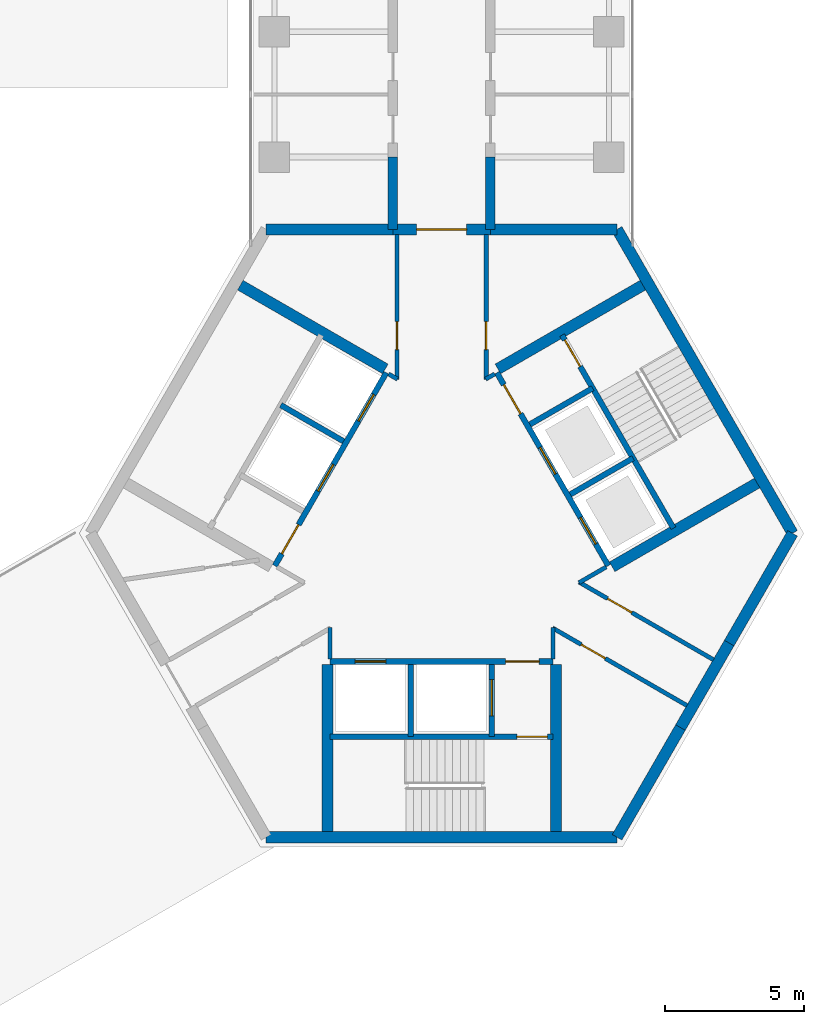
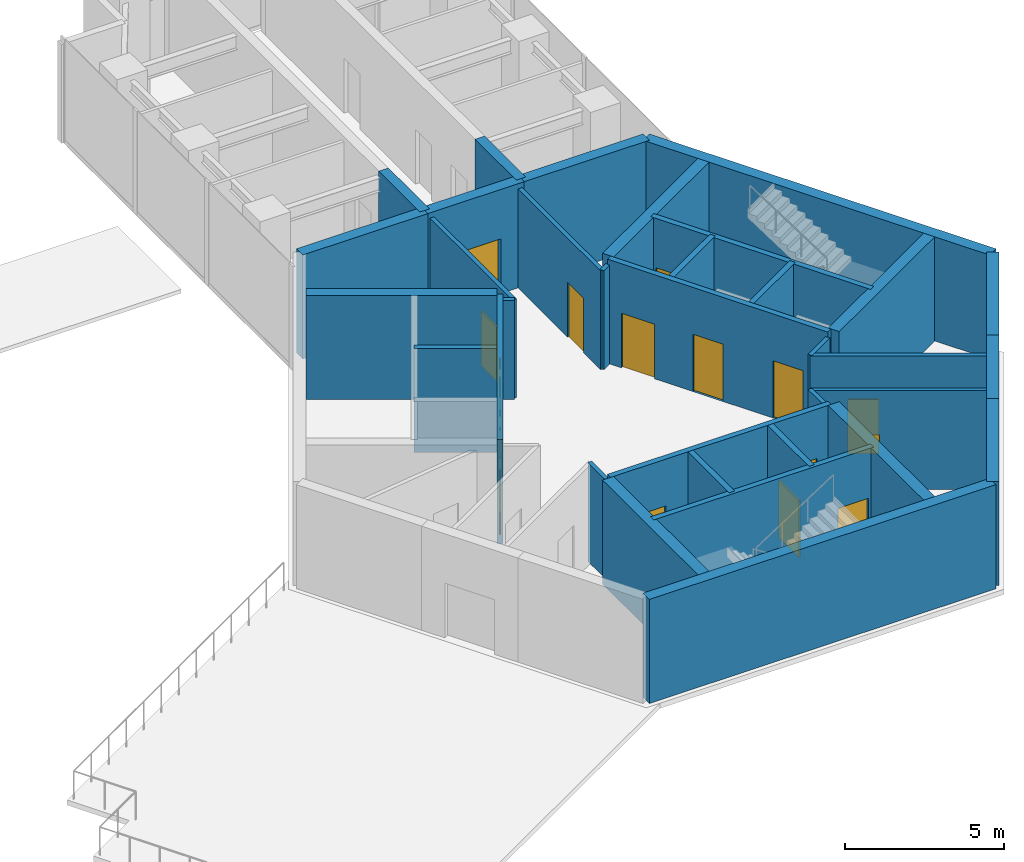
# One storey, part 8 of 11: 34 walls, 16 doors, 16 openings.
"""IFC4 building model written with IfcOpenShell, lengths in metres."""

from ifc_helpers import new_model, si_unit, direction, frame, frame_2d, origin, place, context, subcontext, project, spatial, rectangle, extrude, material, layer, layer_set, type_object, element, fill, save


model = new_model("IFC4")

# Units and contexts
model_context = context("Model", 3, precision=1e-05, world=origin(), true_north=direction((0.0, 1.0)))
body_context = subcontext(model_context, "Body", "Model", "MODEL_VIEW")
ifc_project = project(units=[si_unit("LENGTHUNIT", "METRE"), si_unit("AREAUNIT", "SQUARE_METRE"), si_unit("VOLUMEUNIT", "CUBIC_METRE"), si_unit("PLANEANGLEUNIT", "RADIAN"), si_unit("MASSUNIT", "GRAM", prefix="KILO")], contexts=[model_context])

# Site, building, storey
site_placement = place(None, origin())
site = spatial("IfcSite", under=ifc_project, at=site_placement, CompositionType="ELEMENT")
building_placement = place(site_placement, origin())
building = spatial("IfcBuilding", under=site, at=building_placement, Name="Upepo Twin Towers", CompositionType="ELEMENT")
storey_placement = place(building_placement, frame((0.0, 0.0, 243.5)))
storey = spatial("IfcBuildingStorey", under=building, at=storey_placement, Name="L59", CompositionType="ELEMENT", Elevation=243.5)

# Walls
ifc_material_1 = material(Name="Concrete C60/75", Category="concrete")
ifc_layer_1 = layer(ifc_material_1, 0.35009765625)
ifc_layer_set_1 = layer_set([ifc_layer_1], Name="Concrete C60/75")
wall_type_1 = type_object("IfcWallType", Name="Buttress wall 350 RC", PredefinedType="SHEAR", material=ifc_layer_set_1)
for number, where, z_axis, x_axis, name in (
    (1, (56.75, -7.091552734375, 0.0), (0.0, 0.0, 1.0), (0.0, 1.0, 0.0), "T2 wing A buttress wall L"),
    (2, (60.25, -7.091552734375, 0.0), (0.0, 0.0, 1.0), (0.0, 1.0, 0.0), "T2 wing A buttress wall R"),
):
    element("IfcWall", number, at=place(storey_placement, frame(where, z_axis=z_axis, x_axis=x_axis)), inside=storey, type_object=wall_type_1, Name=name, PredefinedType="SHEAR", context=body_context, shape_type="SweptSolid", body=[
        extrude(rectangle(XDim=2.591552734375, YDim=0.35009765625, at=frame_2d((1.2958984375, 0.0))), origin(), (0.0, 0.0, 1.0), 4.0),
    ])
ifc_material_2 = material(Name="Concrete C60/75", Category="concrete")
ifc_layer_2 = layer(ifc_material_2, 0.39990234375)
ifc_layer_set_2 = layer_set([ifc_layer_2], Name="Concrete C60/75")
wall_type_2 = type_object("IfcWallType", Name="Core wall 400 RC", PredefinedType="SHEAR", material=ifc_layer_set_2)
wall_1_placement = place(storey_placement, frame((64.7978515625, -7.091552734375, 0.0), z_axis=(0.0, 0.0, 1.0), x_axis=(-1.0, 0.0, 0.0)))
element("IfcWall", 3, at=wall_1_placement, inside=storey, type_object=wall_type_2, Name="T2 core wall 000 R", PredefinedType="SHEAR", context=body_context, shape_type="SweptSolid", body=[
    extrude(rectangle(XDim=4.5478515625, YDim=0.39990234375, at=frame_2d((2.27392578125, 0.0))), origin(), (0.0, 0.0, 1.0), 4.0),
])

# Wall, opening, door
wall_2_placement = place(storey_placement, frame((60.25, -7.091552734375, 0.0), z_axis=(0.0, 0.0, 1.0), x_axis=(-1.0, 0.0, 0.0)))
wall_2 = element("IfcWall", 4, at=wall_2_placement, inside=storey, type_object=wall_type_2, Name="T2 core wall 000", PredefinedType="SHEAR", context=body_context, shape_type="SweptSolid", body=[
    extrude(rectangle(XDim=3.5, YDim=0.39990234375, at=frame_2d((1.75, 0.0))), origin(), (0.0, 0.0, 1.0), 4.0),
])
opening_1_placement = place(wall_2_placement, frame((0.85009765625, 0.0, 0.0)))
opening_1 = element("IfcOpeningElement", 5, at=opening_1_placement, cuts=wall_2, Name="Opening D2", PredefinedType="OPENING", context=body_context, shape_type="SweptSolid", body=[
    extrude(rectangle(XDim=1.800048828125, YDim=2.10009765625, at=frame_2d((0.89990234375, 1.050048828125))), frame((0.0, 0.2099609375, 0.0), z_axis=(0.0, -1.0, 0.0), x_axis=(1.0, 0.0, 0.0)), (0.0, 0.0, 1.0), 0.419921875),
])
ifc_material_3 = material(Name="Timber doorset", Category="wood")
door_type_1 = type_object("IfcDoorType", Name="Corridor double door 1800 FD60", OperationType="DOUBLE_DOOR_DOUBLE_SWING", PredefinedType="DOOR", material=ifc_material_3)
door_1_placement = place(opening_1_placement, origin())
door_1 = element("IfcDoor", 6, at=door_1_placement, inside=storey, type_object=door_type_1, Name="T2 L59 wing A corridor door", OperationType="DOUBLE_DOOR_DOUBLE_SWING", OverallHeight=2.10009765625, OverallWidth=1.800048828125, PredefinedType="DOOR", context=body_context, shape_type="SweptSolid", body=[
    extrude(rectangle(XDim=1.800048828125, YDim=2.10009765625, at=frame_2d((0.89990234375, 1.050048828125))), frame((0.0, 0.02490234375, 0.0), z_axis=(0.0, -1.0, 0.0), x_axis=(1.0, 0.0, 0.0)), (0.0, 0.0, 1.0), 0.050048828125),
])
fill(opening_1, door_1)

# Walls
wall_3_placement = place(storey_placement, frame((56.75, -7.091552734375, 0.0), z_axis=(0.0, 0.0, 1.0), x_axis=(-1.0, 0.0, 0.0)))
element("IfcWall", 7, at=wall_3_placement, inside=storey, type_object=wall_type_2, Name="T2 core wall 000 L", PredefinedType="SHEAR", context=body_context, shape_type="SweptSolid", body=[
    extrude(rectangle(XDim=4.5478515625, YDim=0.39990234375, at=frame_2d((2.27392578125, 0.0))), origin(), (0.0, 0.0, 1.0), 4.0),
])
wall_4_placement = place(storey_placement, frame((52.2021484375, -28.908447265625, 0.0), z_axis=(0.0, 0.0, 1.0), x_axis=(1.0, 0.0, 0.0)))
element("IfcWall", 8, at=wall_4_placement, inside=storey, type_object=wall_type_2, Name="T2 core wall 180", PredefinedType="SHEAR", context=body_context, shape_type="SweptSolid", body=[
    extrude(rectangle(XDim=12.595703125, YDim=0.39990234375, at=frame_2d((6.2978515625, 0.0))), origin(), (0.0, 0.0, 1.0), 4.0),
])
wall_5_placement = place(storey_placement, frame((64.7978515625, -28.908447265625, 0.0), z_axis=(0.0, 0.0, 1.0), x_axis=(0.499984222037, 0.866034513004, 0.0)))
element("IfcWall", 9, at=wall_5_placement, inside=storey, type_object=wall_type_2, Name="T2 core wall 240 R", PredefinedType="SHEAR", context=body_context, shape_type="SweptSolid", body=[
    extrude(rectangle(XDim=4.548095703125, YDim=0.39990234375, at=frame_2d((2.27392578125, 0.0))), origin(), (0.0, 0.0, 1.0), 4.0),
])
wall_6_placement = place(storey_placement, frame((67.07177734375, -24.9697265625, 0.0), z_axis=(0.0, 0.0, 1.0), x_axis=(0.500010275428, 0.866019471182, 0.0)))
element("IfcWall", 10, at=wall_6_placement, inside=storey, type_object=wall_type_2, Name="T2 core wall 240", PredefinedType="SHEAR", context=body_context, shape_type="SweptSolid", body=[
    extrude(rectangle(XDim=3.5, YDim=0.39990234375, at=frame_2d((1.75, 0.0))), origin(), (0.0, 0.0, 1.0), 4.0),
])
wall_7_placement = place(storey_placement, frame((68.82177734375, -21.938720703125, 0.0), z_axis=(0.0, 0.0, 1.0), x_axis=(0.500024481964, 0.866011268655, 0.0)))
element("IfcWall", 11, at=wall_7_placement, inside=storey, type_object=wall_type_2, Name="T2 core wall 240 L", PredefinedType="SHEAR", context=body_context, shape_type="SweptSolid", body=[
    extrude(rectangle(XDim=4.548095703125, YDim=0.39990234375, at=frame_2d((2.27392578125, 0.0))), origin(), (0.0, 0.0, 1.0), 4.0),
])
wall_8_placement = place(storey_placement, frame((71.095947265625, -18.0, 0.0), z_axis=(0.0, 0.0, 1.0), x_axis=(-0.500005998175, 0.866021940709, 0.0)))
element("IfcWall", 12, at=wall_8_placement, inside=storey, type_object=wall_type_2, Name="T2 core wall 300", PredefinedType="SHEAR", context=body_context, shape_type="SweptSolid", body=[
    extrude(rectangle(XDim=12.595947265625, YDim=0.39990234375, at=frame_2d((6.2978515625, 0.0))), origin(), (0.0, 0.0, 1.0), 4.0),
])

# Wall, openings, doors
ifc_material_4 = material(Name="Concrete C40/50", Category="concrete")
ifc_layer_3 = layer(ifc_material_4, 0.199951171875)
ifc_layer_set_3 = layer_set([ifc_layer_3], Name="Concrete C40/50")
wall_type_3 = type_object("IfcWallType", Name="Shaft wall 200 RC", PredefinedType="SHEAR", material=ifc_layer_set_3)
wall_9_placement = place(storey_placement, frame((56.516357421875, -12.23583984375, 0.0), z_axis=(0.0, 0.0, 1.0), x_axis=(-0.49999894854, -0.866026010844, 0.0)))
wall_9 = element("IfcWall", 13, at=wall_9_placement, inside=storey, type_object=wall_type_3, Name="T2 core W60 front wall", PredefinedType="SHEAR", context=body_context, shape_type="SweptSolid", body=[
    extrude(rectangle(XDim=8.0, YDim=0.199951171875, at=frame_2d((4.0, 0.0))), origin(), (0.0, 0.0, 1.0), 4.0),
])
opening_2_placement = place(wall_9_placement, frame((6.300048828125, 0.0, 0.0)))
opening_2 = element("IfcOpeningElement", 14, at=opening_2_placement, cuts=wall_9, Name="Opening D4", PredefinedType="OPENING", context=body_context, shape_type="SweptSolid", body=[
    extrude(rectangle(XDim=1.199951171875, YDim=2.10009765625, at=frame_2d((0.60009765625, 1.050048828125))), frame((0.0, 0.10986328125, 0.0), z_axis=(0.0, -1.0, 0.0), x_axis=(1.0, 0.0, 0.0)), (0.0, 0.0, 1.0), 0.219970703125),
])
opening_3_placement = place(wall_9_placement, frame((0.89990234375, 0.0, 0.0)))
opening_3 = element("IfcOpeningElement", 15, at=opening_3_placement, cuts=wall_9, Name="Opening LD1", PredefinedType="OPENING", context=body_context, shape_type="SweptSolid", body=[
    extrude(rectangle(XDim=1.10009765625, YDim=2.199951171875, at=frame_2d((0.550048828125, 1.10009765625))), frame((0.0, 0.10986328125, 0.0), z_axis=(0.0, -1.0, 0.0), x_axis=(1.0, 0.0, 0.0)), (0.0, 0.0, 1.0), 0.219970703125),
])
opening_4_placement = place(wall_9_placement, frame((3.800048828125, 0.0, 0.0)))
opening_4 = element("IfcOpeningElement", 16, at=opening_4_placement, cuts=wall_9, Name="Opening LD1", PredefinedType="OPENING", context=body_context, shape_type="SweptSolid", body=[
    extrude(rectangle(XDim=1.10009765625, YDim=2.199951171875, at=frame_2d((0.550048828125, 1.10009765625))), frame((0.0, 0.10986328125, 0.0), z_axis=(0.0, -1.0, 0.0), x_axis=(1.0, 0.0, 0.0)), (0.0, 0.0, 1.0), 0.219970703125),
])
ifc_material_5 = material(Name="Steel doorset", Category="steel")
door_type_2 = type_object("IfcDoorType", Name="Lift landing door 1100", OperationType="DOUBLE_DOOR_SLIDING", PredefinedType="DOOR", material=ifc_material_5)
door_2_placement = place(opening_3_placement, origin())
door_2 = element("IfcDoor", 17, at=door_2_placement, inside=storey, type_object=door_type_2, Name="T2 L59 lift EX1 landing door", OperationType="DOUBLE_DOOR_SLIDING", OverallHeight=2.199951171875, OverallWidth=1.10009765625, PredefinedType="DOOR", context=body_context, shape_type="SweptSolid", body=[
    extrude(rectangle(XDim=1.10009765625, YDim=2.199951171875, at=frame_2d((0.550048828125, 1.10009765625))), frame((0.0, 0.02490234375, 0.0), z_axis=(0.0, -1.0, 0.0), x_axis=(1.0, 0.0, 0.0)), (0.0, 0.0, 1.0), 0.050048828125),
])
fill(opening_3, door_2)
door_3_placement = place(opening_4_placement, origin())
door_3 = element("IfcDoor", 18, at=door_3_placement, inside=storey, type_object=door_type_2, Name="T2 L59 lift EX2 landing door", OperationType="DOUBLE_DOOR_SLIDING", OverallHeight=2.199951171875, OverallWidth=1.10009765625, PredefinedType="DOOR", context=body_context, shape_type="SweptSolid", body=[
    extrude(rectangle(XDim=1.10009765625, YDim=2.199951171875, at=frame_2d((0.550048828125, 1.10009765625))), frame((0.0, 0.02490234375, 0.0), z_axis=(0.0, -1.0, 0.0), x_axis=(1.0, 0.0, 0.0)), (0.0, 0.0, 1.0), 0.050048828125),
])
fill(opening_4, door_3)
ifc_material_6 = material(Name="Timber doorset", Category="wood")
door_type_3 = type_object("IfcDoorType", Name="Lobby door 1200 FD60", OperationType="SINGLE_SWING_LEFT", PredefinedType="DOOR", material=ifc_material_6)
door_4_placement = place(opening_2_placement, origin())
door_4 = element("IfcDoor", 19, at=door_4_placement, inside=storey, type_object=door_type_3, Name="T2 L59 W60 lobby door", OperationType="SINGLE_SWING_RIGHT", OverallHeight=2.10009765625, OverallWidth=1.199951171875, PredefinedType="DOOR", context=body_context, shape_type="SweptSolid", body=[
    extrude(rectangle(XDim=1.199951171875, YDim=2.10009765625, at=frame_2d((0.60009765625, 1.050048828125))), frame((0.0, 0.02490234375, 0.0), z_axis=(0.0, -1.0, 0.0), x_axis=(1.0, 0.0, 0.0)), (0.0, 0.0, 1.0), 0.050048828125),
])
fill(opening_2, door_4)

# Wall
wall_10_placement = place(storey_placement, frame((54.979736328125, -14.697265625, 0.0), z_axis=(0.0, 0.0, 1.0), x_axis=(-0.866062058628, 0.499936506574, 0.0)))
element("IfcWall", 20, at=wall_10_placement, inside=storey, type_object=wall_type_3, Name="T2 core W60 shaft divider", PredefinedType="SHEAR", context=body_context, shape_type="SweptSolid", body=[
    extrude(rectangle(XDim=2.599853515625, YDim=0.199951171875, at=frame_2d((1.2998046875, 0.0))), origin(), (0.0, 0.0, 1.0), 4.0),
])

# Wall, openings, doors
wall_11_placement = place(storey_placement, frame((54.5, -22.60009765625, 0.0), z_axis=(0.0, 0.0, 1.0), x_axis=(1.0, 0.0, 0.0)))
wall_11 = element("IfcWall", 21, at=wall_11_placement, inside=storey, type_object=wall_type_3, Name="T2 core W180 front wall", PredefinedType="SHEAR", context=body_context, shape_type="SweptSolid", body=[
    extrude(rectangle(XDim=8.0, YDim=0.199951171875, at=frame_2d((4.0, 0.0))), origin(), (0.0, 0.0, 1.0), 4.0),
])
opening_5_placement = place(wall_11_placement, frame((6.300048828125, 0.0, 0.0)))
opening_5 = element("IfcOpeningElement", 22, at=opening_5_placement, cuts=wall_11, Name="Opening D4", PredefinedType="OPENING", context=body_context, shape_type="SweptSolid", body=[
    extrude(rectangle(XDim=1.199951171875, YDim=2.10009765625, at=frame_2d((0.60009765625, 1.050048828125))), frame((0.0, 0.10986328125, 0.0), z_axis=(0.0, -1.0, 0.0), x_axis=(1.0, 0.0, 0.0)), (0.0, 0.0, 1.0), 0.219970703125),
])
opening_6_placement = place(wall_11_placement, frame((0.89990234375, 0.0, 0.0)))
opening_6 = element("IfcOpeningElement", 23, at=opening_6_placement, cuts=wall_11, Name="Opening LD1", PredefinedType="OPENING", context=body_context, shape_type="SweptSolid", body=[
    extrude(rectangle(XDim=1.10009765625, YDim=2.199951171875, at=frame_2d((0.550048828125, 1.10009765625))), frame((0.0, 0.10986328125, 0.0), z_axis=(0.0, -1.0, 0.0), x_axis=(1.0, 0.0, 0.0)), (0.0, 0.0, 1.0), 0.219970703125),
])
door_5_placement = place(opening_6_placement, origin())
door_5 = element("IfcDoor", 24, at=door_5_placement, inside=storey, type_object=door_type_2, Name="T2 L59 lift SV1 landing door", OperationType="DOUBLE_DOOR_SLIDING", OverallHeight=2.199951171875, OverallWidth=1.10009765625, PredefinedType="DOOR", context=body_context, shape_type="SweptSolid", body=[
    extrude(rectangle(XDim=1.10009765625, YDim=2.199951171875, at=frame_2d((0.550048828125, 1.10009765625))), frame((0.0, 0.02490234375, 0.0), z_axis=(0.0, -1.0, 0.0), x_axis=(1.0, 0.0, 0.0)), (0.0, 0.0, 1.0), 0.050048828125),
])
fill(opening_6, door_5)
door_6_placement = place(opening_5_placement, origin())
door_6 = element("IfcDoor", 25, at=door_6_placement, inside=storey, type_object=door_type_3, Name="T2 L59 W180 lobby door", OperationType="SINGLE_SWING_RIGHT", OverallHeight=2.10009765625, OverallWidth=1.199951171875, PredefinedType="DOOR", context=body_context, shape_type="SweptSolid", body=[
    extrude(rectangle(XDim=1.199951171875, YDim=2.10009765625, at=frame_2d((0.60009765625, 1.050048828125))), frame((0.0, 0.02490234375, 0.0), z_axis=(0.0, -1.0, 0.0), x_axis=(1.0, 0.0, 0.0)), (0.0, 0.0, 1.0), 0.050048828125),
])
fill(opening_5, door_6)

# Wall
wall_12_placement = place(storey_placement, frame((57.39990234375, -22.699951171875, 0.0), z_axis=(0.0, 0.0, 1.0), x_axis=(0.0, -1.0, 0.0)))
element("IfcWall", 26, at=wall_12_placement, inside=storey, type_object=wall_type_3, Name="T2 core W180 shaft divider", PredefinedType="SHEAR", context=body_context, shape_type="SweptSolid", body=[
    extrude(rectangle(XDim=2.60009765625, YDim=0.199951171875, at=frame_2d((1.300048828125, 0.0))), origin(), (0.0, 0.0, 1.0), 4.0),
])

# Wall, opening, door
wall_13_placement = place(storey_placement, frame((60.300048828125, -22.699951171875, 0.0), z_axis=(0.0, 0.0, 1.0), x_axis=(0.0, -1.0, 0.0)))
wall_13 = element("IfcWall", 27, at=wall_13_placement, inside=storey, type_object=wall_type_3, Name="T2 core W180 lobby wall", PredefinedType="SHEAR", context=body_context, shape_type="SweptSolid", body=[
    extrude(rectangle(XDim=2.60009765625, YDim=0.199951171875, at=frame_2d((1.300048828125, 0.0))), origin(), (0.0, 0.0, 1.0), 4.0),
])
opening_7_placement = place(wall_13_placement, frame((0.550048828125, 0.0, 0.0)))
opening_7 = element("IfcOpeningElement", 28, at=opening_7_placement, cuts=wall_13, Name="Opening LD2", PredefinedType="OPENING", context=body_context, shape_type="SweptSolid", body=[
    extrude(rectangle(XDim=1.300048828125, YDim=2.199951171875, at=frame_2d((0.64990234375, 1.10009765625))), frame((0.0, 0.10986328125, 0.0), z_axis=(0.0, -1.0, 0.0), x_axis=(1.0, 0.0, 0.0)), (0.0, 0.0, 1.0), 0.219970703125),
])
ifc_material_7 = material(Name="Steel doorset", Category="steel")
door_type_4 = type_object("IfcDoorType", Name="Firefighting lift landing door 1300", OperationType="DOUBLE_DOOR_SLIDING", PredefinedType="DOOR", material=ifc_material_7)
door_7_placement = place(opening_7_placement, origin())
door_7 = element("IfcDoor", 29, at=door_7_placement, inside=storey, type_object=door_type_4, Name="T2 L59 firefighting lift landing door", OperationType="DOUBLE_DOOR_SLIDING", OverallHeight=2.199951171875, OverallWidth=1.300048828125, PredefinedType="DOOR", context=body_context, shape_type="SweptSolid", body=[
    extrude(rectangle(XDim=1.300048828125, YDim=2.199951171875, at=frame_2d((0.64990234375, 1.10009765625))), frame((0.0, 0.02490234375, 0.0), z_axis=(0.0, -1.0, 0.0), x_axis=(1.0, 0.0, 0.0)), (0.0, 0.0, 1.0), 0.050048828125),
])
fill(opening_7, door_7)

wall_14_placement = place(storey_placement, frame((54.5, -25.300048828125, 0.0), z_axis=(0.0, 0.0, 1.0), x_axis=(1.0, 0.0, 0.0)))
wall_14 = element("IfcWall", 30, at=wall_14_placement, inside=storey, type_object=wall_type_3, Name="T2 core W180 stair wall", PredefinedType="SHEAR", context=body_context, shape_type="SweptSolid", body=[
    extrude(rectangle(XDim=8.0, YDim=0.199951171875, at=frame_2d((4.0, 0.0))), origin(), (0.0, 0.0, 1.0), 4.0),
])
opening_8_placement = place(wall_14_placement, frame((6.699951171875, 0.0, 0.0)))
opening_8 = element("IfcOpeningElement", 31, at=opening_8_placement, cuts=wall_14, Name="Opening D3", PredefinedType="OPENING", context=body_context, shape_type="SweptSolid", body=[
    extrude(rectangle(XDim=1.10009765625, YDim=2.10009765625, at=frame_2d((0.550048828125, 1.050048828125))), frame((0.0, 0.10986328125, 0.0), z_axis=(0.0, -1.0, 0.0), x_axis=(1.0, 0.0, 0.0)), (0.0, 0.0, 1.0), 0.219970703125),
])
ifc_material_8 = material(Name="Timber doorset", Category="wood")
door_type_5 = type_object("IfcDoorType", Name="Stair door 1100 FD60", OperationType="SINGLE_SWING_LEFT", PredefinedType="DOOR", material=ifc_material_8)
door_8_placement = place(opening_8_placement, origin())
door_8 = element("IfcDoor", 32, at=door_8_placement, inside=storey, type_object=door_type_5, Name="T2 L59 stair door", OperationType="SINGLE_SWING_RIGHT", OverallHeight=2.10009765625, OverallWidth=1.10009765625, PredefinedType="DOOR", context=body_context, shape_type="SweptSolid", body=[
    extrude(rectangle(XDim=1.10009765625, YDim=2.10009765625, at=frame_2d((0.550048828125, 1.050048828125))), frame((0.0, 0.02490234375, 0.0), z_axis=(0.0, -1.0, 0.0), x_axis=(1.0, 0.0, 0.0)), (0.0, 0.0, 1.0), 0.050048828125),
])
fill(opening_8, door_8)

# Wall, openings, doors
wall_15_placement = place(storey_placement, frame((64.483642578125, -19.1640625, 0.0), z_axis=(0.0, 0.0, 1.0), x_axis=(-0.49999894854, 0.866026010844, 0.0)))
wall_15 = element("IfcWall", 33, at=wall_15_placement, inside=storey, type_object=wall_type_3, Name="T2 core W300 front wall", PredefinedType="SHEAR", context=body_context, shape_type="SweptSolid", body=[
    extrude(rectangle(XDim=8.0, YDim=0.199951171875, at=frame_2d((4.0, 0.0))), origin(), (0.0, 0.0, 1.0), 4.0),
])
opening_9_placement = place(wall_15_placement, frame((6.300048828125, 0.0, 0.0)))
opening_9 = element("IfcOpeningElement", 34, at=opening_9_placement, cuts=wall_15, Name="Opening D4", PredefinedType="OPENING", context=body_context, shape_type="SweptSolid", body=[
    extrude(rectangle(XDim=1.199951171875, YDim=2.10009765625, at=frame_2d((0.60009765625, 1.050048828125))), frame((0.0, 0.10986328125, 0.0), z_axis=(0.0, -1.0, 0.0), x_axis=(1.0, 0.0, 0.0)), (0.0, 0.0, 1.0), 0.219970703125),
])
opening_10_placement = place(wall_15_placement, frame((0.89990234375, 0.0, 0.0)))
opening_10 = element("IfcOpeningElement", 35, at=opening_10_placement, cuts=wall_15, Name="Opening LD1", PredefinedType="OPENING", context=body_context, shape_type="SweptSolid", body=[
    extrude(rectangle(XDim=1.10009765625, YDim=2.199951171875, at=frame_2d((0.550048828125, 1.10009765625))), frame((0.0, 0.10986328125, 0.0), z_axis=(0.0, -1.0, 0.0), x_axis=(1.0, 0.0, 0.0)), (0.0, 0.0, 1.0), 0.219970703125),
])
opening_11_placement = place(wall_15_placement, frame((3.800048828125, 0.0, 0.0)))
opening_11 = element("IfcOpeningElement", 36, at=opening_11_placement, cuts=wall_15, Name="Opening LD1", PredefinedType="OPENING", context=body_context, shape_type="SweptSolid", body=[
    extrude(rectangle(XDim=1.10009765625, YDim=2.199951171875, at=frame_2d((0.550048828125, 1.10009765625))), frame((0.0, 0.10986328125, 0.0), z_axis=(0.0, -1.0, 0.0), x_axis=(1.0, 0.0, 0.0)), (0.0, 0.0, 1.0), 0.219970703125),
])
door_9_placement = place(opening_10_placement, origin())
door_9 = element("IfcDoor", 37, at=door_9_placement, inside=storey, type_object=door_type_2, Name="T2 L59 lift TL1 landing door", OperationType="DOUBLE_DOOR_SLIDING", OverallHeight=2.199951171875, OverallWidth=1.10009765625, PredefinedType="DOOR", context=body_context, shape_type="SweptSolid", body=[
    extrude(rectangle(XDim=1.10009765625, YDim=2.199951171875, at=frame_2d((0.550048828125, 1.10009765625))), frame((0.0, 0.02490234375, 0.0), z_axis=(0.0, -1.0, 0.0), x_axis=(1.0, 0.0, 0.0)), (0.0, 0.0, 1.0), 0.050048828125),
])
fill(opening_10, door_9)
door_10_placement = place(opening_11_placement, origin())
door_10 = element("IfcDoor", 38, at=door_10_placement, inside=storey, type_object=door_type_2, Name="T2 L59 lift TL2 landing door", OperationType="DOUBLE_DOOR_SLIDING", OverallHeight=2.199951171875, OverallWidth=1.10009765625, PredefinedType="DOOR", context=body_context, shape_type="SweptSolid", body=[
    extrude(rectangle(XDim=1.10009765625, YDim=2.199951171875, at=frame_2d((0.550048828125, 1.10009765625))), frame((0.0, 0.02490234375, 0.0), z_axis=(0.0, -1.0, 0.0), x_axis=(1.0, 0.0, 0.0)), (0.0, 0.0, 1.0), 0.050048828125),
])
fill(opening_11, door_10)
door_11_placement = place(opening_9_placement, origin())
door_11 = element("IfcDoor", 39, at=door_11_placement, inside=storey, type_object=door_type_3, Name="T2 L59 W300 lobby door", OperationType="SINGLE_SWING_RIGHT", OverallHeight=2.10009765625, OverallWidth=1.199951171875, PredefinedType="DOOR", context=body_context, shape_type="SweptSolid", body=[
    extrude(rectangle(XDim=1.199951171875, YDim=2.10009765625, at=frame_2d((0.60009765625, 1.050048828125))), frame((0.0, 0.02490234375, 0.0), z_axis=(0.0, -1.0, 0.0), x_axis=(1.0, 0.0, 0.0)), (0.0, 0.0, 1.0), 0.050048828125),
])
fill(opening_9, door_11)

# Walls
wall_16_placement = place(storey_placement, frame((63.120361328125, -16.6025390625, 0.0), z_axis=(0.0, 0.0, 1.0), x_axis=(0.866062058628, 0.499936506574, 0.0)))
element("IfcWall", 40, at=wall_16_placement, inside=storey, type_object=wall_type_3, Name="T2 core W300 shaft divider", PredefinedType="SHEAR", context=body_context, shape_type="SweptSolid", body=[
    extrude(rectangle(XDim=2.599853515625, YDim=0.199951171875, at=frame_2d((1.2998046875, 0.0))), origin(), (0.0, 0.0, 1.0), 4.0),
])
wall_17_placement = place(storey_placement, frame((61.67041015625, -14.091064453125, 0.0), z_axis=(0.0, 0.0, 1.0), x_axis=(0.86603858612, 0.49997716683, 0.0)))
element("IfcWall", 41, at=wall_17_placement, inside=storey, type_object=wall_type_3, Name="T2 core W300 lobby wall", PredefinedType="SHEAR", context=body_context, shape_type="SweptSolid", body=[
    extrude(rectangle(XDim=2.599609375, YDim=0.199951171875, at=frame_2d((1.2998046875, 0.0))), origin(), (0.0, 0.0, 1.0), 4.0),
])

# Wall, opening, door
wall_18_placement = place(storey_placement, frame((66.822021484375, -17.814208984375, 0.0), z_axis=(0.0, 0.0, 1.0), x_axis=(-0.49999894854, 0.866026010844, 0.0)))
wall_18 = element("IfcWall", 42, at=wall_18_placement, inside=storey, type_object=wall_type_3, Name="T2 core W300 stair wall", PredefinedType="SHEAR", context=body_context, shape_type="SweptSolid", body=[
    extrude(rectangle(XDim=8.0, YDim=0.199951171875, at=frame_2d((4.0, 0.0))), origin(), (0.0, 0.0, 1.0), 4.0),
])
opening_12_placement = place(wall_18_placement, frame((6.699951171875, 0.0, 0.0)))
opening_12 = element("IfcOpeningElement", 43, at=opening_12_placement, cuts=wall_18, Name="Opening D3", PredefinedType="OPENING", context=body_context, shape_type="SweptSolid", body=[
    extrude(rectangle(XDim=1.10009765625, YDim=2.10009765625, at=frame_2d((0.550048828125, 1.050048828125))), frame((0.0, 0.10986328125, 0.0), z_axis=(0.0, -1.0, 0.0), x_axis=(1.0, 0.0, 0.0)), (0.0, 0.0, 1.0), 0.219970703125),
])
door_12_placement = place(opening_12_placement, origin())
door_12 = element("IfcDoor", 44, at=door_12_placement, inside=storey, type_object=door_type_5, Name="T2 L59 stair door", OperationType="SINGLE_SWING_RIGHT", OverallHeight=2.10009765625, OverallWidth=1.10009765625, PredefinedType="DOOR", context=body_context, shape_type="SweptSolid", body=[
    extrude(rectangle(XDim=1.10009765625, YDim=2.10009765625, at=frame_2d((0.550048828125, 1.050048828125))), frame((0.0, 0.02490234375, 0.0), z_axis=(0.0, -1.0, 0.0), x_axis=(1.0, 0.0, 0.0)), (0.0, 0.0, 1.0), 0.050048828125),
])
fill(opening_12, door_12)

# Walls
ifc_material_9 = material(Name="Concrete C40/50", Category="concrete")
ifc_layer_4 = layer(ifc_material_9, 0.39990234375)
ifc_layer_set_4 = layer_set([ifc_layer_4], Name="Concrete C40/50")
wall_type_4 = type_object("IfcWallType", Name="Shaft wall 400 RC", PredefinedType="SHEAR", material=ifc_layer_set_4)
for number, where, z_axis, x_axis, name in (
    (45, (56.479736328125, -12.099365234375, 0.0), (0.0, 0.0, 1.0), (-0.866026570101, 0.499997979876, 0.0), "T2 core W60 side wall S"),
    (46, (62.60009765625, -22.699951171875, 0.0), (0.0, 0.0, 1.0), (0.0, -1.0, 0.0), "T2 core W180 side wall N"),
    (47, (54.39990234375, -22.699951171875, 0.0), (0.0, 0.0, 1.0), (0.0, -1.0, 0.0), "T2 core W180 side wall S"),
    (48, (60.520263671875, -12.099365234375, 0.0), (0.0, 0.0, 1.0), (0.866026570101, 0.499997979876, 0.0), "T2 core W300 side wall N"),
    (49, (64.620361328125, -19.20068359375, 0.0), (0.0, 0.0, 1.0), (0.866026570101, 0.499997979876, 0.0), "T2 core W300 side wall S"),
):
    element("IfcWall", number, at=place(storey_placement, frame(where, z_axis=z_axis, x_axis=x_axis)), inside=storey, type_object=wall_type_4, Name=name, PredefinedType="SHEAR", context=body_context, shape_type="SweptSolid", body=[
        extrude(rectangle(XDim=6.00830078125, YDim=0.39990234375, at=frame_2d((3.004150390625, 0.0))), origin(), (0.0, 0.0, 1.0), 4.0),
    ])
ifc_material_10 = material(Name="Gypsum board on steel studs", Category="steel")
ifc_layer_5 = layer(ifc_material_10, 0.14990234375)
ifc_layer_set_5 = layer_set([ifc_layer_5], Name="Teaching partition 150 acoustic")
wall_type_5 = type_object("IfcWallType", Name="Teaching partition 150 acoustic", PredefinedType="PARTITIONING", material=ifc_layer_set_5)
wall_19_placement = place(storey_placement, frame((54.5, -22.510009765625, 0.0), z_axis=(0.0, 0.0, 1.0), x_axis=(0.0, 1.0, 0.0)))
element("IfcWall", 50, at=wall_19_placement, inside=storey, type_object=wall_type_5, Name="T2 core room partition 1", PredefinedType="PARTITIONING", context=body_context, shape_type="SweptSolid", body=[
    extrude(rectangle(XDim=1.12353515625, YDim=0.14990234375, at=frame_2d((0.561767578125, 0.0))), origin(), (0.0, 0.0, 1.0), 3.800048828125),
])
wall_20_placement = place(storey_placement, frame((56.59423828125, -12.281005859375, 0.0), z_axis=(0.0, 0.0, 1.0), x_axis=(0.866261881104, -0.499590185398, 0.0)))
element("IfcWall", 51, at=wall_20_placement, inside=storey, type_object=wall_type_5, Name="T2 core room partition 5", PredefinedType="PARTITIONING", context=body_context, shape_type="SweptSolid", body=[
    extrude(rectangle(XDim=0.372802734375, YDim=0.14990234375, at=frame_2d((0.1865234375, 0.0))), origin(), (0.0, 0.0, 1.0), 3.800048828125),
])

# Wall, opening, door
wall_21_placement = place(storey_placement, frame((56.89990234375, -12.477294921875, 0.0), z_axis=(0.0, 0.0, 1.0), x_axis=(0.0, 1.0, 0.0)))
wall_21 = element("IfcWall", 52, at=wall_21_placement, inside=storey, type_object=wall_type_5, Name="T2 core room partition 6", PredefinedType="PARTITIONING", context=body_context, shape_type="SweptSolid", body=[
    extrude(rectangle(XDim=5.195556640625, YDim=0.14990234375, at=frame_2d((2.59765625, 0.0))), origin(), (0.0, 0.0, 1.0), 3.800048828125),
])
opening_13_placement = place(wall_21_placement, frame((1.07275390625, 0.0, 0.0)))
opening_13 = element("IfcOpeningElement", 53, at=opening_13_placement, cuts=wall_21, Name="Opening D1", PredefinedType="OPENING", context=body_context, shape_type="SweptSolid", body=[
    extrude(rectangle(XDim=1.0, YDim=2.10009765625, at=frame_2d((0.5, 1.050048828125))), frame((0.0, 0.0849609375, 0.0), z_axis=(0.0, -1.0, 0.0), x_axis=(1.0, 0.0, 0.0)), (0.0, 0.0, 1.0), 0.169921875),
])
ifc_material_11 = material(Name="Timber doorset", Category="wood")
door_type_6 = type_object("IfcDoorType", Name="Room door 1000 FD30", OperationType="SINGLE_SWING_LEFT", PredefinedType="DOOR", material=ifc_material_11)
door_13_placement = place(opening_13_placement, origin())
door_13 = element("IfcDoor", 54, at=door_13_placement, inside=storey, type_object=door_type_6, Name="T2 L59 core room door K7", OperationType="SINGLE_SWING_LEFT", OverallHeight=2.10009765625, OverallWidth=1.0, PredefinedType="DOOR", context=body_context, shape_type="SweptSolid", body=[
    extrude(rectangle(XDim=1.0, YDim=2.10009765625, at=frame_2d((0.5, 1.050048828125))), frame((0.0, 0.02490234375, 0.0), z_axis=(0.0, -1.0, 0.0), x_axis=(1.0, 0.0, 0.0)), (0.0, 0.0, 1.0), 0.050048828125),
])
fill(opening_13, door_13)

wall_22_placement = place(storey_placement, frame((60.10009765625, -7.28173828125, 0.0), z_axis=(0.0, 0.0, 1.0), x_axis=(0.0, -1.0, 0.0)))
wall_22 = element("IfcWall", 55, at=wall_22_placement, inside=storey, type_object=wall_type_5, Name="T2 core room partition 7", PredefinedType="PARTITIONING", context=body_context, shape_type="SweptSolid", body=[
    extrude(rectangle(XDim=5.195556640625, YDim=0.14990234375, at=frame_2d((2.59765625, 0.0))), origin(), (0.0, 0.0, 1.0), 3.800048828125),
])
opening_14_placement = place(wall_22_placement, frame((3.122802734375, 0.0, 0.0)))
opening_14 = element("IfcOpeningElement", 56, at=opening_14_placement, cuts=wall_22, Name="Opening D1", PredefinedType="OPENING", context=body_context, shape_type="SweptSolid", body=[
    extrude(rectangle(XDim=1.0, YDim=2.10009765625, at=frame_2d((0.5, 1.050048828125))), frame((0.0, 0.0849609375, 0.0), z_axis=(0.0, -1.0, 0.0), x_axis=(1.0, 0.0, 0.0)), (0.0, 0.0, 1.0), 0.169921875),
])
door_14_placement = place(opening_14_placement, origin())
door_14 = element("IfcDoor", 57, at=door_14_placement, inside=storey, type_object=door_type_6, Name="T2 L59 core room door K6", OperationType="SINGLE_SWING_RIGHT", OverallHeight=2.10009765625, OverallWidth=1.0, PredefinedType="DOOR", context=body_context, shape_type="SweptSolid", body=[
    extrude(rectangle(XDim=1.0, YDim=2.10009765625, at=frame_2d((0.5, 1.050048828125))), frame((0.0, 0.02490234375, 0.0), z_axis=(0.0, -1.0, 0.0), x_axis=(1.0, 0.0, 0.0)), (0.0, 0.0, 1.0), 0.050048828125),
])
fill(opening_14, door_14)

# Walls
wall_23_placement = place(storey_placement, frame((60.082763671875, -12.46728515625, 0.0), z_axis=(0.0, 0.0, 1.0), x_axis=(0.866261881104, 0.499590185398, 0.0)))
element("IfcWall", 58, at=wall_23_placement, inside=storey, type_object=wall_type_5, Name="T2 core room partition 8", PredefinedType="PARTITIONING", context=body_context, shape_type="SweptSolid", body=[
    extrude(rectangle(XDim=0.372802734375, YDim=0.14990234375, at=frame_2d((0.1865234375, 0.0))), origin(), (0.0, 0.0, 1.0), 3.800048828125),
])
wall_24_placement = place(storey_placement, frame((64.40576171875, -19.208984375, 0.0), z_axis=(0.0, 0.0, 1.0), x_axis=(-0.865961255618, -0.500111091428, 0.0)))
element("IfcWall", 59, at=wall_24_placement, inside=storey, type_object=wall_type_5, Name="T2 core room partition 9", PredefinedType="PARTITIONING", context=body_context, shape_type="SweptSolid", body=[
    extrude(rectangle(XDim=1.123779296875, YDim=0.14990234375, at=frame_2d((0.56201171875, 0.0))), origin(), (0.0, 0.0, 1.0), 3.800048828125),
])

# Wall, opening, door
wall_25_placement = place(storey_placement, frame((63.4326171875, -19.7509765625, 0.0), z_axis=(0.0, 0.0, 1.0), x_axis=(0.866036713669, -0.499980410194, 0.0)))
wall_25 = element("IfcWall", 60, at=wall_25_placement, inside=storey, type_object=wall_type_5, Name="T2 core room partition 10", PredefinedType="PARTITIONING", context=body_context, shape_type="SweptSolid", body=[
    extrude(rectangle(XDim=5.571044921875, YDim=0.14990234375, at=frame_2d((2.78564453125, 0.0))), origin(), (0.0, 0.0, 1.0), 3.800048828125),
])
opening_15_placement = place(wall_25_placement, frame((1.185546875, 0.0, 0.0)))
opening_15 = element("IfcOpeningElement", 61, at=opening_15_placement, cuts=wall_25, Name="Opening D1", PredefinedType="OPENING", context=body_context, shape_type="SweptSolid", body=[
    extrude(rectangle(XDim=1.0, YDim=2.10009765625, at=frame_2d((0.5, 1.050048828125))), frame((0.0, 0.0849609375, 0.0), z_axis=(0.0, -1.0, 0.0), x_axis=(1.0, 0.0, 0.0)), (0.0, 0.0, 1.0), 0.169921875),
])
door_15_placement = place(opening_15_placement, origin())
door_15 = element("IfcDoor", 62, at=door_15_placement, inside=storey, type_object=door_type_6, Name="T2 L59 core room door K5", OperationType="SINGLE_SWING_LEFT", OverallHeight=2.10009765625, OverallWidth=1.0, PredefinedType="DOOR", context=body_context, shape_type="SweptSolid", body=[
    extrude(rectangle(XDim=1.0, YDim=2.10009765625, at=frame_2d((0.5, 1.050048828125))), frame((0.0, 0.02490234375, 0.0), z_axis=(0.0, -1.0, 0.0), x_axis=(1.0, 0.0, 0.0)), (0.0, 0.0, 1.0), 0.050048828125),
])
fill(opening_15, door_15)

wall_26_placement = place(storey_placement, frame((67.307373046875, -24.181884765625, 0.0), z_axis=(0.0, 0.0, 1.0), x_axis=(-0.866036713669, 0.499980410194, 0.0)))
wall_26 = element("IfcWall", 63, at=wall_26_placement, inside=storey, type_object=wall_type_5, Name="T2 core room partition 11", PredefinedType="PARTITIONING", context=body_context, shape_type="SweptSolid", body=[
    extrude(rectangle(XDim=5.571044921875, YDim=0.14990234375, at=frame_2d((2.78564453125, 0.0))), origin(), (0.0, 0.0, 1.0), 3.800048828125),
])
opening_16_placement = place(wall_26_placement, frame((3.385498046875, 0.0, 0.0)))
opening_16 = element("IfcOpeningElement", 64, at=opening_16_placement, cuts=wall_26, Name="Opening D1", PredefinedType="OPENING", context=body_context, shape_type="SweptSolid", body=[
    extrude(rectangle(XDim=1.0, YDim=2.10009765625, at=frame_2d((0.5, 1.050048828125))), frame((0.0, 0.0849609375, 0.0), z_axis=(0.0, -1.0, 0.0), x_axis=(1.0, 0.0, 0.0)), (0.0, 0.0, 1.0), 0.169921875),
])
door_16_placement = place(opening_16_placement, origin())
door_16 = element("IfcDoor", 65, at=door_16_placement, inside=storey, type_object=door_type_6, Name="T2 L59 core room door K4", OperationType="SINGLE_SWING_RIGHT", OverallHeight=2.10009765625, OverallWidth=1.0, PredefinedType="DOOR", context=body_context, shape_type="SweptSolid", body=[
    extrude(rectangle(XDim=1.0, YDim=2.10009765625, at=frame_2d((0.5, 1.050048828125))), frame((0.0, 0.02490234375, 0.0), z_axis=(0.0, -1.0, 0.0), x_axis=(1.0, 0.0, 0.0)), (0.0, 0.0, 1.0), 0.050048828125),
])
fill(opening_16, door_16)

# Wall
wall_27_placement = place(storey_placement, frame((62.5, -21.386474609375, 0.0), z_axis=(0.0, 0.0, 1.0), x_axis=(0.0, -1.0, 0.0)))
element("IfcWall", 66, at=wall_27_placement, inside=storey, type_object=wall_type_5, Name="T2 core room partition 12", PredefinedType="PARTITIONING", context=body_context, shape_type="SweptSolid", body=[
    extrude(rectangle(XDim=1.12353515625, YDim=0.14990234375, at=frame_2d((0.561767578125, 0.0))), origin(), (0.0, 0.0, 1.0), 3.800048828125),
])

save(model, "model.ifc")
